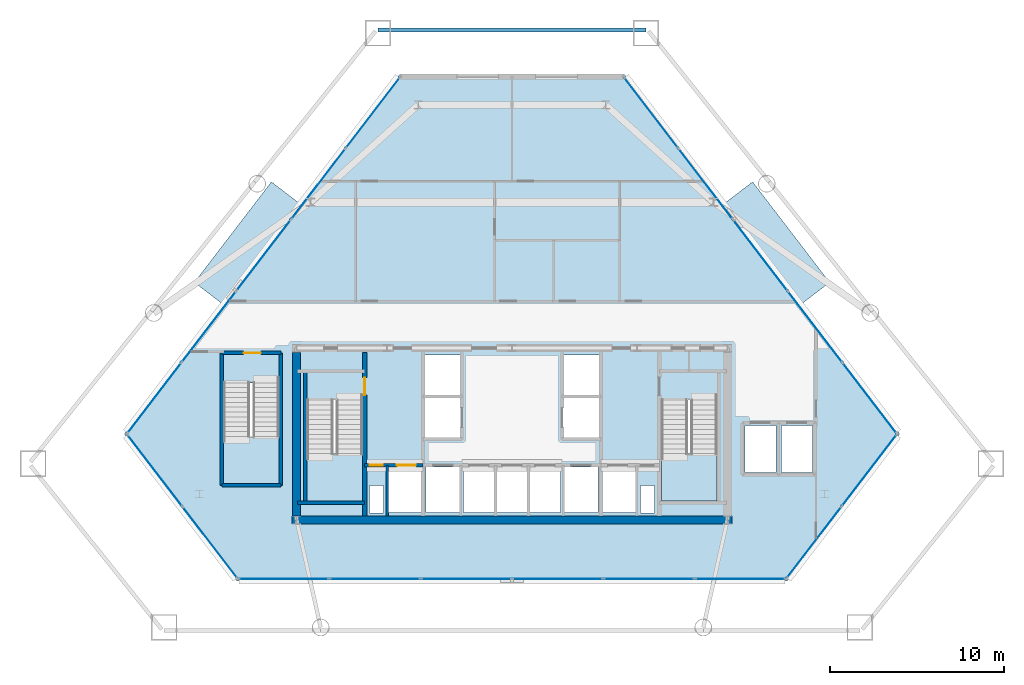
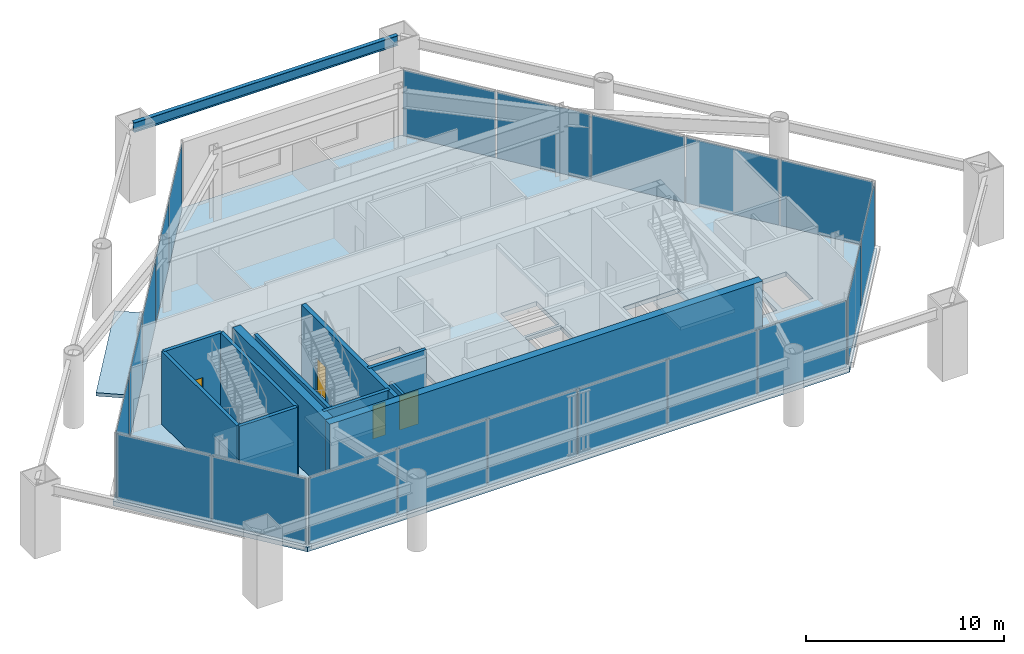
# One storey, part 6 of 11: 20 plates, 11 walls, 6 slabs, 4 doors, 1 beam, 4 openings, 8 elements without a shape of their own.
"""IFC4 building model written with IfcOpenShell, lengths in metres."""

from ifc_helpers import new_model, si_unit, direction, frame, frame_2d, origin, origin_2d, place, context, subcontext, project, spatial, polyline, rectangle, i_section, outline, extrude, source, transform, mapped, material, layer, layer_set, material_profile, profile_set, type_object, type_shapes, element, fill, aggregate, save


model = new_model("IFC4")

# Units and contexts
model_context = context("Model", 3, precision=1e-05, world=origin(), true_north=direction((0.0, 1.0)))
body_context = subcontext(model_context, "Body", "Model", "MODEL_VIEW")
ifc_project = project(units=[si_unit("LENGTHUNIT", "METRE"), si_unit("AREAUNIT", "SQUARE_METRE"), si_unit("VOLUMEUNIT", "CUBIC_METRE"), si_unit("PLANEANGLEUNIT", "RADIAN"), si_unit("MASSUNIT", "GRAM", prefix="KILO")], contexts=[model_context])

# Site, building, storey
site_placement = place(None, origin())
site = spatial("IfcSite", under=ifc_project, at=site_placement, CompositionType="ELEMENT")
building_placement = place(site_placement, origin())
building = spatial("IfcBuilding", under=site, at=building_placement, Name="Talgorran Terracotta Tower", CompositionType="ELEMENT")
storey_placement = place(building_placement, frame((0.0, 0.0, 5.39990234375)))
storey = spatial("IfcBuildingStorey", under=building, at=storey_placement, Name="L01", CompositionType="ELEMENT", Elevation=5.39990234375)

# Beam
ifc_material_1 = material(Name="Steel S355 (300PLUS)", Category="steel")
ifc_material_profile = material_profile(ifc_material_1, i_section(OverallWidth=0.22900390625, OverallDepth=0.611572265625, WebThickness=0.011962890625, FlangeThickness=0.01953125, at=origin_2d()), Name="610UB125")
ifc_profile_set = profile_set([ifc_material_profile], Name="Steel S355 (300PLUS)")
beam_type = type_object("IfcBeamType", Name="BM_SP_610UB125", PredefinedType="SPANDREL", material=ifc_profile_set)
beam_placement = place(storey_placement, frame((7.714111328125, 14.115966796875, 3.914306640625), z_axis=(-1.0, 0.0, 0.0), x_axis=(0.0, -1.0, 0.0)))
element("IfcBeam", 1, at=beam_placement, inside=storey, type_object=beam_type, Name="L01 Perimeter Spandrel Beam MC5-MC6", PredefinedType="SPANDREL", context=body_context, shape_type="SweptSolid", body=[
    extrude(i_section(OverallWidth=0.22900390625, OverallDepth=0.611572265625, WebThickness=0.011962890625, FlangeThickness=0.01953125, at=origin_2d()), origin(), (0.0, 0.0, 1.0), 15.42822265625),
])

# Slabs
ifc_material_2 = material(Name="Concrete C50/60", Category="concrete")
ifc_layer_1 = layer(ifc_material_2, 0.2099609375, Name="SL_CANOPY_210")
ifc_layer_set_1 = layer_set([ifc_layer_1], Name="Concrete C50/60")
slab_type_1 = type_object("IfcSlabType", Name="SL_CANOPY_210", PredefinedType="ROOF", material=ifc_layer_set_1)
slab_1_placement = place(storey_placement, frame((0.0, 0.0, -0.2099609375)))
element("IfcSlab", 2, at=slab_1_placement, inside=storey, type_object=slab_type_1, Name="Entry Portico Canopy Slab NE", PredefinedType="ROOF", context=body_context, shape_type="SweptSolid", body=[
    extrude(outline(polyline([(16.633544921875, -1.68310546875), (18.28466796875, -0.418212890625), (13.849609375, 5.372314453125), (12.1982421875, 4.107421875), (16.633544921875, -1.68310546875)])), origin(), (0.0, 0.0, 1.0), 0.2099609375),
])
slab_2_placement = place(storey_placement, frame((0.0, 0.0, -0.2099609375)))
element("IfcSlab", 3, at=slab_2_placement, inside=storey, type_object=slab_type_1, Name="Entry Portico Canopy Slab NW", PredefinedType="ROOF", context=body_context, shape_type="SweptSolid", body=[
    extrude(outline(polyline([(-12.1982421875, 4.107421875), (-13.849609375, 5.372314453125), (-18.28466796875, -0.418212890625), (-16.633544921875, -1.68310546875), (-12.1982421875, 4.107421875)])), origin(), (0.0, 0.0, 1.0), 0.2099609375),
])

# Stair, slab
ifc_material_3 = material(Name="Concrete C40/50", Category="concrete")
stair_type_1 = type_object("IfcStairType", Name="ST_FIRE_SCISSOR", PredefinedType="HALF_TURN_STAIR", material=ifc_material_3)
stair_1_placement = place(storey_placement, origin())
stair_1 = element("IfcStair", 4, at=stair_1_placement, inside=storey, type_object=stair_type_1, Name="L01 West Protected Fire Stair ST-01", PredefinedType="HALF_TURN_STAIR")
ifc_layer_2 = layer(ifc_material_3, 0.199951171875, Name="SL_LANDING_200")
ifc_layer_set_2 = layer_set([ifc_layer_2], Name="Concrete C40/50")
slab_type_2 = type_object("IfcSlabType", Name="SL_LANDING_200", PredefinedType="LANDING", material=ifc_layer_set_2)
slab_3_placement = place(storey_placement, frame((0.0, 0.0, 2.050048828125)))
slab_3 = element("IfcSlab", 5, at=slab_3_placement, type_object=slab_type_2, Name="ST-01 landing 1", PredefinedType="LANDING", context=body_context, shape_type="SweptSolid", body=[
    extrude(outline(polyline([(-11.800048828125, -10.280029296875), (-11.800048828125, -13.0), (-8.60009765625, -13.0), (-8.60009765625, -10.280029296875), (-11.800048828125, -10.280029296875)])), origin(), (0.0, 0.0, 1.0), 0.199951171875),
])
aggregate(stair_1, [slab_3])

stair_2_placement = place(storey_placement, origin())
stair_2 = element("IfcStair", 6, at=stair_2_placement, inside=storey, type_object=stair_type_1, Name="L01 East Protected Fire Stair ST-02", PredefinedType="HALF_TURN_STAIR")
slab_4_placement = place(storey_placement, frame((0.0, 0.0, 2.050048828125)))
slab_4 = element("IfcSlab", 7, at=slab_4_placement, type_object=slab_type_2, Name="ST-02 landing 1", PredefinedType="LANDING", context=body_context, shape_type="SweptSolid", body=[
    extrude(outline(polyline([(8.60009765625, -10.280029296875), (8.60009765625, -13.0), (11.800048828125, -13.0), (11.800048828125, -10.280029296875), (8.60009765625, -10.280029296875)])), origin(), (0.0, 0.0, 1.0), 0.199951171875),
])
aggregate(stair_2, [slab_4])

stair_type_2 = type_object("IfcStairType", Name="ST_PODIUM_DOGLEG", PredefinedType="HALF_TURN_STAIR", material=ifc_material_3)
stair_3_placement = place(storey_placement, origin())
stair_3 = element("IfcStair", 8, at=stair_3_placement, inside=storey, type_object=stair_type_2, Name="L01 Podium Health Fire Stair ST-03", PredefinedType="HALF_TURN_STAIR")
slab_5_placement = place(storey_placement, frame((0.0, 0.0, 2.050048828125)))
slab_5 = element("IfcSlab", 9, at=slab_5_placement, type_object=slab_type_2, Name="ST-03 landing 1", PredefinedType="LANDING", context=body_context, shape_type="SweptSolid", body=[
    extrude(outline(polyline([(-16.60009765625, -9.280029296875), (-16.60009765625, -12.0), (-13.39990234375, -12.0), (-13.39990234375, -9.280029296875), (-16.60009765625, -9.280029296875)])), origin(), (0.0, 0.0, 1.0), 0.199951171875),
])
aggregate(stair_3, [slab_5])

# Slab
ifc_layer_3 = layer(ifc_material_2, 0.280029296875, Name="SL_PODIUM_280")
ifc_layer_set_3 = layer_set([ifc_layer_3], Name="Concrete C50/60")
slab_type_3 = type_object("IfcSlabType", Name="SL_PODIUM_280", PredefinedType="FLOOR", material=ifc_layer_set_3)
slab_6_placement = place(storey_placement, frame((0.0, 0.0, -0.27978515625)))
element("IfcSlab", 10, at=slab_6_placement, inside=storey, type_object=slab_type_3, Name="Storey L01 Structural Floor Slab", PredefinedType="FLOOR", context=body_context, shape_type="SweptSolid", body=[
    extrude(outline(polyline([(-22.320068359375, -9.139892578125), (-15.840087890625, -17.60009765625), (15.840087890625, -17.60009765625), (22.320068359375, -9.139892578125), (6.47998046875, 11.5400390625), (-6.47998046875, 11.5400390625), (-22.320068359375, -9.139892578125)]), holes=[polyline([(-11.800048828125, -7.199951171875), (-11.800048828125, -13.0), (-8.60009765625, -13.0), (-8.60009765625, -7.199951171875), (-11.800048828125, -7.199951171875)]), polyline([(8.60009765625, -7.199951171875), (8.60009765625, -13.0), (11.800048828125, -13.0), (11.800048828125, -7.199951171875), (8.60009765625, -7.199951171875)]), polyline([(-16.60009765625, -6.199951171875), (-16.60009765625, -12.0), (-13.39990234375, -12.0), (-13.39990234375, -6.199951171875), (-16.60009765625, -6.199951171875)]), polyline([(-7.10009765625, -13.64990234375), (-5.199951171875, -13.64990234375), (-5.199951171875, -11.050048828125), (-7.10009765625, -11.050048828125), (-7.10009765625, -13.64990234375)]), polyline([(5.199951171875, -13.64990234375), (7.10009765625, -13.64990234375), (7.10009765625, -11.050048828125), (5.199951171875, -11.050048828125), (5.199951171875, -13.64990234375)]), polyline([(3.0, -13.64990234375), (4.949951171875, -13.64990234375), (4.949951171875, -11.050048828125), (3.0, -11.050048828125), (3.0, -13.64990234375)]), polyline([(-4.949951171875, -13.64990234375), (-3.0, -13.64990234375), (-3.0, -11.050048828125), (-4.949951171875, -11.050048828125), (-4.949951171875, -13.64990234375)]), polyline([(-5.050048828125, -9.35009765625), (-2.949951171875, -9.35009765625), (-2.949951171875, -7.050048828125), (-5.050048828125, -7.050048828125), (-5.050048828125, -9.35009765625)]), polyline([(-5.050048828125, -6.89990234375), (-2.949951171875, -6.89990234375), (-2.949951171875, -4.60009765625), (-5.050048828125, -4.60009765625), (-5.050048828125, -6.89990234375)]), polyline([(2.949951171875, -9.35009765625), (5.050048828125, -9.35009765625), (5.050048828125, -7.050048828125), (2.949951171875, -7.050048828125), (2.949951171875, -9.35009765625)]), polyline([(2.949951171875, -6.89990234375), (5.050048828125, -6.89990234375), (5.050048828125, -4.60009765625), (2.949951171875, -4.60009765625), (2.949951171875, -6.89990234375)]), polyline([(-2.800048828125, -13.64990234375), (-1.0, -13.64990234375), (-1.0, -11.050048828125), (-2.800048828125, -11.050048828125), (-2.800048828125, -13.64990234375)]), polyline([(-0.89990234375, -13.64990234375), (0.89990234375, -13.64990234375), (0.89990234375, -11.050048828125), (-0.89990234375, -11.050048828125), (-0.89990234375, -13.64990234375)]), polyline([(1.0, -13.64990234375), (2.800048828125, -13.64990234375), (2.800048828125, -11.050048828125), (1.0, -11.050048828125), (1.0, -13.64990234375)]), polyline([(13.39990234375, -11.35009765625), (15.199951171875, -11.35009765625), (15.199951171875, -8.64990234375), (13.39990234375, -8.64990234375), (13.39990234375, -11.35009765625)]), polyline([(15.5, -11.35009765625), (17.300048828125, -11.35009765625), (17.300048828125, -8.64990234375), (15.5, -8.64990234375), (15.5, -11.35009765625)]), polyline([(-8.199951171875, -13.699951171875), (-7.39990234375, -13.699951171875), (-7.39990234375, -12.10009765625), (-8.199951171875, -12.10009765625), (-8.199951171875, -13.699951171875)]), polyline([(7.39990234375, -13.699951171875), (8.199951171875, -13.699951171875), (8.199951171875, -12.10009765625), (7.39990234375, -12.10009765625), (7.39990234375, -13.699951171875)])]), origin(), (0.0, 0.0, 1.0), 0.27978515625),
])

# Curtain wall, plates
ifc_material_4 = material(Name="Terracotta and Low-E Glazing", Category="masonry")
ifc_layer_4 = layer(ifc_material_4, 0.219970703125, Name="CW_SYS1_PODIUM")
ifc_layer_set_4 = layer_set([ifc_layer_4], Name="Terracotta and Low-E Glazing")
curtain_wall_type = type_object("IfcCurtainWallType", Name="CW_SYS1_PODIUM", PredefinedType="NOTDEFINED", material=ifc_layer_set_4)
curtain_wall_1_placement = place(storey_placement, origin())
curtain_wall_1 = element("IfcCurtainWall", 11, at=curtain_wall_1_placement, inside=storey, type_object=curtain_wall_type, Name="CW-L01-F0", PredefinedType="NOTDEFINED")
ifc_material_5 = material(Name="Low-E Laminated Vision Glass", Category="glass")
ifc_layer_5 = layer(ifc_material_5, 0.028076171875, Name="PLT_VISION_28")
ifc_layer_set_5 = layer_set([ifc_layer_5], Name="Low-E Laminated Vision Glass")
plate_type = type_object("IfcPlateType", Name="PLT_VISION_28", PredefinedType="CURTAIN_PANEL", material=ifc_layer_set_5)
shared_shape_1 = source(origin(), body_context, "Body", "SweptSolid", [
    extrude(rectangle(XDim=5.14013671875, YDim=0.028076171875, at=origin_2d()), origin(), (0.0, 0.0, 1.0), 4.070068359375),
])
plate_1_placement = place(storey_placement, frame((-20.560302734375, -11.239990234375, 0.0751953125), z_axis=(0.0, 0.0, 1.0), x_axis=(0.608071772019, -0.793882056778, 0.0)))
plate_1 = element("IfcPlate", 12, at=plate_1_placement, type_object=plate_type, Name="CW-L01-0 panel 1.1", PredefinedType="CURTAIN_PANEL", context=body_context, shape_type="MappedRepresentation", body=[
    mapped(shared_shape_1, transform((0.0, 0.0, 0.0), scale=1.0)),
])
plate_2_placement = place(storey_placement, frame((-17.38916015625, -15.380126953125, 0.0751953125), z_axis=(0.0, 0.0, 1.0), x_axis=(0.608071772019, -0.793882056778, 0.0)))
plate_2 = element("IfcPlate", 13, at=plate_2_placement, type_object=plate_type, Name="CW-L01-0 panel 2.1", PredefinedType="CURTAIN_PANEL", context=body_context, shape_type="MappedRepresentation", body=[
    mapped(shared_shape_1, transform((0.0, 0.0, 0.0), scale=1.0)),
])
aggregate(curtain_wall_1, [plate_1, plate_2])

curtain_wall_2_placement = place(storey_placement, origin())
curtain_wall_2 = element("IfcCurtainWall", 14, at=curtain_wall_2_placement, inside=storey, type_object=curtain_wall_type, Name="CW-L01-F2", PredefinedType="NOTDEFINED")
plate_3_placement = place(storey_placement, frame((17.38916015625, -15.380126953125, 0.0751953125), z_axis=(0.0, 0.0, 1.0), x_axis=(0.608071772019, 0.793882056778, 0.0)))
plate_3 = element("IfcPlate", 15, at=plate_3_placement, type_object=plate_type, Name="CW-L01-2 panel 1.1", PredefinedType="CURTAIN_PANEL", context=body_context, shape_type="MappedRepresentation", body=[
    mapped(shared_shape_1, transform((0.0, 0.0, 0.0), scale=1.0)),
])
plate_4_placement = place(storey_placement, frame((20.560302734375, -11.239990234375, 0.0751953125), z_axis=(0.0, 0.0, 1.0), x_axis=(0.608071772019, 0.793882056778, 0.0)))
plate_4 = element("IfcPlate", 16, at=plate_4_placement, type_object=plate_type, Name="CW-L01-2 panel 2.1", PredefinedType="CURTAIN_PANEL", context=body_context, shape_type="MappedRepresentation", body=[
    mapped(shared_shape_1, transform((0.0, 0.0, 0.0), scale=1.0)),
])
aggregate(curtain_wall_2, [plate_3, plate_4])

curtain_wall_3_placement = place(storey_placement, origin())
curtain_wall_3 = element("IfcCurtainWall", 17, at=curtain_wall_3_placement, inside=storey, type_object=curtain_wall_type, Name="CW-L01-F1", PredefinedType="NOTDEFINED")
shared_shape_2 = source(origin(), body_context, "Body", "SweptSolid", [
    extrude(rectangle(XDim=5.147705078125, YDim=0.028076171875, at=origin_2d()), origin(), (0.0, 0.0, 1.0), 4.070068359375),
])
plate_5_placement = place(storey_placement, frame((-13.1318359375, -17.47998046875, 0.0751953125), z_axis=(0.0, 0.0, 1.0), x_axis=(1.0, 0.0, 0.0)))
plate_5 = element("IfcPlate", 18, at=plate_5_placement, type_object=plate_type, Name="CW-L01-1 panel 1.1", PredefinedType="CURTAIN_PANEL", context=body_context, shape_type="MappedRepresentation", body=[
    mapped(shared_shape_2, transform((0.0, 0.0, 0.0), scale=1.0)),
])
plate_6_placement = place(storey_placement, frame((13.1318359375, -17.47998046875, 0.0751953125), z_axis=(0.0, 0.0, 1.0), x_axis=(1.0, 0.0, 0.0)))
plate_6 = element("IfcPlate", 19, at=plate_6_placement, type_object=plate_type, Name="CW-L01-1 panel 6.1", PredefinedType="CURTAIN_PANEL", context=body_context, shape_type="MappedRepresentation", body=[
    mapped(shared_shape_2, transform((0.0, 0.0, 0.0), scale=1.0)),
])
shared_shape_3 = source(origin(), body_context, "Body", "SweptSolid", [
    extrude(rectangle(XDim=5.185302734375, YDim=0.028076171875, at=origin_2d()), origin(), (0.0, 0.0, 1.0), 4.070068359375),
])
plate_7_placement = place(storey_placement, frame((-7.890380859375, -17.47998046875, 0.0751953125), z_axis=(0.0, 0.0, 1.0), x_axis=(1.0, 0.0, 0.0)))
plate_7 = element("IfcPlate", 20, at=plate_7_placement, type_object=plate_type, Name="CW-L01-1 panel 2.1", PredefinedType="CURTAIN_PANEL", context=body_context, shape_type="MappedRepresentation", body=[
    mapped(shared_shape_3, transform((0.0, 0.0, 0.0), scale=1.0)),
])
plate_8_placement = place(storey_placement, frame((-2.630126953125, -17.47998046875, 0.0751953125), z_axis=(0.0, 0.0, 1.0), x_axis=(1.0, 0.0, 0.0)))
plate_8 = element("IfcPlate", 21, at=plate_8_placement, type_object=plate_type, Name="CW-L01-1 panel 3.1", PredefinedType="CURTAIN_PANEL", context=body_context, shape_type="MappedRepresentation", body=[
    mapped(shared_shape_3, transform((0.0, 0.0, 0.0), scale=1.0)),
])
plate_9_placement = place(storey_placement, frame((2.630126953125, -17.47998046875, 0.0751953125), z_axis=(0.0, 0.0, 1.0), x_axis=(1.0, 0.0, 0.0)))
plate_9 = element("IfcPlate", 22, at=plate_9_placement, type_object=plate_type, Name="CW-L01-1 panel 4.1", PredefinedType="CURTAIN_PANEL", context=body_context, shape_type="MappedRepresentation", body=[
    mapped(shared_shape_3, transform((0.0, 0.0, 0.0), scale=1.0)),
])
plate_10_placement = place(storey_placement, frame((7.890380859375, -17.47998046875, 0.0751953125), z_axis=(0.0, 0.0, 1.0), x_axis=(1.0, 0.0, 0.0)))
plate_10 = element("IfcPlate", 23, at=plate_10_placement, type_object=plate_type, Name="CW-L01-1 panel 5.1", PredefinedType="CURTAIN_PANEL", context=body_context, shape_type="MappedRepresentation", body=[
    mapped(shared_shape_3, transform((0.0, 0.0, 0.0), scale=1.0)),
])
aggregate(curtain_wall_3, [plate_5, plate_7, plate_8, plate_9, plate_10, plate_6])

curtain_wall_4_placement = place(storey_placement, origin())
curtain_wall_4 = element("IfcCurtainWall", 24, at=curtain_wall_4_placement, inside=storey, type_object=curtain_wall_type, Name="CW-L01-F3", PredefinedType="NOTDEFINED")
shared_shape_4 = source(origin(), body_context, "Body", "SweptSolid", [
    extrude(rectangle(XDim=5.067138671875, YDim=0.028076171875, at=origin_2d()), origin(), (0.0, 0.0, 1.0), 4.070068359375),
])
plate_11_placement = place(storey_placement, frame((20.58251953125, -7.069091796875, 0.0751953125), z_axis=(0.0, 0.0, 1.0), x_axis=(-0.608074806682, 0.793879732377, 0.0)))
plate_11 = element("IfcPlate", 25, at=plate_11_placement, type_object=plate_type, Name="CW-L01-3 panel 1.1", PredefinedType="CURTAIN_PANEL", context=body_context, shape_type="MappedRepresentation", body=[
    mapped(shared_shape_4, transform((0.0, 0.0, 0.0), scale=1.0)),
])
plate_12_placement = place(storey_placement, frame((8.007080078125, 9.34912109375, 0.0751953125), z_axis=(0.0, 0.0, 1.0), x_axis=(-0.608074806682, 0.793879732377, 0.0)))
plate_12 = element("IfcPlate", 26, at=plate_12_placement, type_object=plate_type, Name="CW-L01-3 panel 5.1", PredefinedType="CURTAIN_PANEL", context=body_context, shape_type="MappedRepresentation", body=[
    mapped(shared_shape_4, transform((0.0, 0.0, 0.0), scale=1.0)),
])

curtain_wall_5_placement = place(storey_placement, origin())
curtain_wall_5 = element("IfcCurtainWall", 27, at=curtain_wall_5_placement, inside=storey, type_object=curtain_wall_type, Name="CW-L01-F5", PredefinedType="NOTDEFINED")
plate_13_placement = place(storey_placement, frame((-8.007080078125, 9.34912109375, 0.0751953125), z_axis=(0.0, 0.0, 1.0), x_axis=(-0.608074806682, -0.793879732377, 0.0)))
plate_13 = element("IfcPlate", 28, at=plate_13_placement, type_object=plate_type, Name="CW-L01-5 panel 1.1", PredefinedType="CURTAIN_PANEL", context=body_context, shape_type="MappedRepresentation", body=[
    mapped(shared_shape_4, transform((0.0, 0.0, 0.0), scale=1.0)),
])
plate_14_placement = place(storey_placement, frame((-20.58251953125, -7.069091796875, 0.0751953125), z_axis=(0.0, 0.0, 1.0), x_axis=(-0.608074806682, -0.793879732377, 0.0)))
plate_14 = element("IfcPlate", 29, at=plate_14_placement, type_object=plate_type, Name="CW-L01-5 panel 5.1", PredefinedType="CURTAIN_PANEL", context=body_context, shape_type="MappedRepresentation", body=[
    mapped(shared_shape_4, transform((0.0, 0.0, 0.0), scale=1.0)),
])

# Plate
shared_shape_5 = source(origin(), body_context, "Body", "SweptSolid", [
    extrude(rectangle(XDim=5.104736328125, YDim=0.028076171875, at=origin_2d()), origin(), (0.0, 0.0, 1.0), 4.070068359375),
])
type_shapes(plate_type, [shared_shape_1, shared_shape_2, shared_shape_3, shared_shape_4, shared_shape_5])
plate_15_placement = place(storey_placement, frame((17.4443359375, -2.971923828125, 0.0751953125), z_axis=(0.0, 0.0, 1.0), x_axis=(-0.608074806682, 0.793879732377, 0.0)))
plate_15 = element("IfcPlate", 30, at=plate_15_placement, type_object=plate_type, Name="CW-L01-3 panel 2.1", PredefinedType="CURTAIN_PANEL", context=body_context, shape_type="MappedRepresentation", body=[
    mapped(shared_shape_5, transform((0.0, 0.0, 0.0), scale=1.0)),
])

plate_16_placement = place(storey_placement, frame((14.294921875, 1.139892578125, 0.0751953125), z_axis=(0.0, 0.0, 1.0), x_axis=(-0.608074806682, 0.793879732377, 0.0)))
plate_16 = element("IfcPlate", 31, at=plate_16_placement, type_object=plate_type, Name="CW-L01-3 panel 3.1", PredefinedType="CURTAIN_PANEL", context=body_context, shape_type="MappedRepresentation", body=[
    mapped(shared_shape_5, transform((0.0, 0.0, 0.0), scale=1.0)),
])

plate_17_placement = place(storey_placement, frame((11.145263671875, 5.251953125, 0.0751953125), z_axis=(0.0, 0.0, 1.0), x_axis=(-0.608074806682, 0.793879732377, 0.0)))
plate_17 = element("IfcPlate", 32, at=plate_17_placement, type_object=plate_type, Name="CW-L01-3 panel 4.1", PredefinedType="CURTAIN_PANEL", context=body_context, shape_type="MappedRepresentation", body=[
    mapped(shared_shape_5, transform((0.0, 0.0, 0.0), scale=1.0)),
])

aggregate(curtain_wall_4, [plate_11, plate_15, plate_16, plate_17, plate_12])

plate_18_placement = place(storey_placement, frame((-11.145263671875, 5.251953125, 0.0751953125), z_axis=(0.0, 0.0, 1.0), x_axis=(-0.608074806682, -0.793879732377, 0.0)))
plate_18 = element("IfcPlate", 33, at=plate_18_placement, type_object=plate_type, Name="CW-L01-5 panel 2.1", PredefinedType="CURTAIN_PANEL", context=body_context, shape_type="MappedRepresentation", body=[
    mapped(shared_shape_5, transform((0.0, 0.0, 0.0), scale=1.0)),
])

plate_19_placement = place(storey_placement, frame((-14.294921875, 1.139892578125, 0.0751953125), z_axis=(0.0, 0.0, 1.0), x_axis=(-0.608074806682, -0.793879732377, 0.0)))
plate_19 = element("IfcPlate", 34, at=plate_19_placement, type_object=plate_type, Name="CW-L01-5 panel 3.1", PredefinedType="CURTAIN_PANEL", context=body_context, shape_type="MappedRepresentation", body=[
    mapped(shared_shape_5, transform((0.0, 0.0, 0.0), scale=1.0)),
])

plate_20_placement = place(storey_placement, frame((-17.4443359375, -2.971923828125, 0.0751953125), z_axis=(0.0, 0.0, 1.0), x_axis=(-0.608074806682, -0.793879732377, 0.0)))
plate_20 = element("IfcPlate", 35, at=plate_20_placement, type_object=plate_type, Name="CW-L01-5 panel 4.1", PredefinedType="CURTAIN_PANEL", context=body_context, shape_type="MappedRepresentation", body=[
    mapped(shared_shape_5, transform((0.0, 0.0, 0.0), scale=1.0)),
])

aggregate(curtain_wall_5, [plate_13, plate_18, plate_19, plate_20, plate_14])

# Walls
ifc_layer_6 = layer(ifc_material_2, 0.199951171875, Name="WT_CORE_200")
ifc_layer_set_6 = layer_set([ifc_layer_6], Name="Concrete C50/60")
wall_type_1 = type_object("IfcWallType", Name="WT_CORE_200", PredefinedType="SOLIDWALL", material=ifc_layer_set_6)
wall_1_placement = place(storey_placement, frame((-12.35009765625, -13.10009765625, 0.0), z_axis=(0.0, 0.0, 1.0), x_axis=(1.0, 0.0, 0.0)))
element("IfcWall", 36, at=wall_1_placement, inside=storey, type_object=wall_type_1, Name="WL-L01-CW-ST1-S", PredefinedType="SOLIDWALL", context=body_context, shape_type="SweptSolid", body=[
    extrude(rectangle(XDim=3.8701171875, YDim=0.199951171875, at=frame_2d((1.93505859375, 0.0))), origin(), (0.0, 0.0, 1.0), 4.5),
])
wall_2_placement = place(storey_placement, frame((-11.89990234375, -13.10009765625, 0.0), z_axis=(0.0, 0.0, 1.0), x_axis=(0.0, 1.0, 0.0)))
element("IfcWall", 37, at=wall_2_placement, inside=storey, type_object=wall_type_1, Name="WL-L01-CW-ST1-W", PredefinedType="SOLIDWALL", context=body_context, shape_type="SweptSolid", body=[
    extrude(rectangle(XDim=7.580078125, YDim=0.199951171875, at=frame_2d((3.7900390625, 0.0))), origin(), (0.0, 0.0, 1.0), 4.5),
])

# Wall, openings, doors
wall_3_placement = place(storey_placement, frame((-8.47998046875, -10.949951171875, 0.0), z_axis=(0.0, 0.0, 1.0), x_axis=(1.0, 0.0, 0.0)))
wall_3 = element("IfcWall", 38, at=wall_3_placement, inside=storey, type_object=wall_type_1, Name="WL-L01-CW-H-SBW", PredefinedType="SOLIDWALL", context=body_context, shape_type="SweptSolid", body=[
    extrude(rectangle(XDim=3.35986328125, YDim=0.199951171875, at=frame_2d((1.679931640625, 0.0))), origin(), (0.0, 0.0, 1.0), 4.5),
])
opening_1_placement = place(wall_3_placement, frame((0.280029296875, 0.0, 0.0)))
opening_1 = element("IfcOpeningElement", 39, at=opening_1_placement, cuts=wall_3, Name="Opening DR-RSW", PredefinedType="OPENING", context=body_context, shape_type="SweptSolid", body=[
    extrude(rectangle(XDim=0.756, YDim=2.054048828125, at=frame_2d((0.375, 1.027099609375))), frame((0.0, 0.10986328125, 0.0), z_axis=(0.0, -1.0, 0.0), x_axis=(1.0, 0.0, 0.0)), (0.0, 0.0, 1.0), 0.219970703125),
])
opening_2_placement = place(wall_3_placement, frame((1.85009765625, 0.0, 0.0)))
opening_2 = element("IfcOpeningElement", 40, at=opening_2_placement, cuts=wall_3, Name="Opening LD-FFL1", PredefinedType="OPENING", context=body_context, shape_type="SweptSolid", body=[
    extrude(rectangle(XDim=1.10609765625, YDim=2.10409765625, at=frame_2d((0.550048828125, 1.052001953125))), frame((0.0, 0.10986328125, 0.0), z_axis=(0.0, -1.0, 0.0), x_axis=(1.0, 0.0, 0.0)), (0.0, 0.0, 1.0), 0.219970703125),
])
ifc_material_6 = material(Name="Brushed Stainless Steel Grade 304", Category="steel")
door_type_1 = type_object("IfcDoorType", Name="DT_LIFT_LD1100", OperationType="DOUBLE_DOOR_SLIDING", PredefinedType="DOOR", material=ifc_material_6)
door_1_placement = place(opening_2_placement, origin())
door_1 = element("IfcDoor", 41, at=door_1_placement, inside=storey, type_object=door_type_1, Name="L01 Lift Landing Door LD-FFL1", OperationType="DOUBLE_DOOR_SLIDING", OverallHeight=2.10009765625, OverallWidth=1.10009765625, PredefinedType="DOOR", context=body_context, shape_type="SweptSolid", body=[
    extrude(rectangle(XDim=1.10009765625, YDim=2.10009765625, at=frame_2d((0.550048828125, 1.050048828125))), frame((0.0, 0.02490234375, 0.0), z_axis=(0.0, -1.0, 0.0), x_axis=(1.0, 0.0, 0.0)), (0.0, 0.0, 1.0), 0.050048828125),
])
fill(opening_2, door_1)
ifc_material_7 = material(Name="Fire-Rated Pressed Steel", Category="steel")
door_type_2 = type_object("IfcDoorType", Name="DT_RISER_750", OperationType="NOTDEFINED", PredefinedType="DOOR", material=ifc_material_7)
door_2_placement = place(opening_1_placement, origin())
door_2 = element("IfcDoor", 42, at=door_2_placement, inside=storey, type_object=door_type_2, Name="DR-RSW", OperationType="SINGLE_SWING_LEFT", OverallHeight=2.050048828125, OverallWidth=0.75, PredefinedType="DOOR", context=body_context, shape_type="SweptSolid", body=[
    extrude(rectangle(XDim=0.75, YDim=2.050048828125, at=frame_2d((0.375, 1.02490234375))), frame((0.0, 0.02490234375, 0.0), z_axis=(0.0, -1.0, 0.0), x_axis=(1.0, 0.0, 0.0)), (0.0, 0.0, 1.0), 0.050048828125),
])
fill(opening_1, door_2)

# Walls
for number, where, z_axis, x_axis, name in (
    (43, (-16.699951171875, -12.10009765625, 0.0), (0.0, 0.0, 1.0), (0.0, 1.0, 0.0), "WL-L01-PW-ST3-W"),
    (44, (-13.300048828125, -12.10009765625, 0.0), (0.0, 0.0, 1.0), (0.0, 1.0, 0.0), "WL-L01-PW-ST3-E"),
):
    element("IfcWall", number, at=place(storey_placement, frame(where, z_axis=z_axis, x_axis=x_axis)), inside=storey, type_object=wall_type_1, Name=name, PredefinedType="SOLIDWALL", context=body_context, shape_type="SweptSolid", body=[
        extrude(rectangle(XDim=7.6201171875, YDim=0.199951171875, at=frame_2d((3.81005859375, 0.0))), origin(), (0.0, 0.0, 1.0), 4.5),
    ])
wall_4_placement = place(storey_placement, frame((-16.699951171875, -12.10009765625, 0.0), z_axis=(0.0, 0.0, 1.0), x_axis=(1.0, 0.0, 0.0)))
element("IfcWall", 45, at=wall_4_placement, inside=storey, type_object=wall_type_1, Name="WL-L01-PW-ST3-S", PredefinedType="SOLIDWALL", context=body_context, shape_type="SweptSolid", body=[
    extrude(rectangle(XDim=3.39990234375, YDim=0.199951171875, at=frame_2d((1.699951171875, 0.0))), origin(), (0.0, 0.0, 1.0), 4.5),
])

# Wall, opening, door
wall_5_placement = place(storey_placement, frame((-16.699951171875, -4.47998046875, 0.0), z_axis=(0.0, 0.0, 1.0), x_axis=(1.0, 0.0, 0.0)))
wall_5 = element("IfcWall", 46, at=wall_5_placement, inside=storey, type_object=wall_type_1, Name="WL-L01-PW-ST3-N", PredefinedType="SOLIDWALL", context=body_context, shape_type="SweptSolid", body=[
    extrude(rectangle(XDim=3.39990234375, YDim=0.199951171875, at=frame_2d((1.699951171875, 0.0))), origin(), (0.0, 0.0, 1.0), 4.5),
])
opening_3_placement = place(wall_5_placement, frame((1.25, 0.0, 0.0)))
opening_3 = element("IfcOpeningElement", 47, at=opening_3_placement, cuts=wall_5, Name="Opening DR-ST03", PredefinedType="OPENING", context=body_context, shape_type="SweptSolid", body=[
    extrude(rectangle(XDim=1.006, YDim=2.10409765625, at=frame_2d((0.5, 1.052001953125))), frame((0.0, 0.10986328125, 0.0), z_axis=(0.0, -1.0, 0.0), x_axis=(1.0, 0.0, 0.0)), (0.0, 0.0, 1.0), 0.219970703125),
])
door_type_3 = type_object("IfcDoorType", Name="DT_FIRE_1000", OperationType="NOTDEFINED", PredefinedType="DOOR", material=ifc_material_7)
door_3_placement = place(opening_3_placement, origin())
door_3 = element("IfcDoor", 48, at=door_3_placement, inside=storey, type_object=door_type_3, Name="DR-ST03", OperationType="SINGLE_SWING_LEFT", OverallHeight=2.10009765625, OverallWidth=1.0, PredefinedType="DOOR", context=body_context, shape_type="SweptSolid", body=[
    extrude(rectangle(XDim=1.0, YDim=2.10009765625, at=frame_2d((0.5, 1.050048828125))), frame((0.0, 0.02490234375, 0.0), z_axis=(0.0, -1.0, 0.0), x_axis=(1.0, 0.0, 0.0)), (0.0, 0.0, 1.0), 0.050048828125),
])
fill(opening_3, door_3)

ifc_layer_7 = layer(ifc_material_2, 0.25, Name="WT_CORE_250")
ifc_layer_set_7 = layer_set([ifc_layer_7], Name="Concrete C50/60")
wall_type_2 = type_object("IfcWallType", Name="WT_CORE_250", PredefinedType="SHEAR", material=ifc_layer_set_7)
wall_6_placement = place(storey_placement, frame((-8.47998046875, -13.85009765625, 0.0), z_axis=(0.0, 0.0, 1.0), x_axis=(0.0, 1.0, 0.0)))
wall_6 = element("IfcWall", 49, at=wall_6_placement, inside=storey, type_object=wall_type_2, Name="WL-L01-CW-V-W1", PredefinedType="SHEAR", context=body_context, shape_type="SweptSolid", body=[
    extrude(rectangle(XDim=9.400146484375, YDim=0.25, at=frame_2d((4.7001953125, 0.0))), origin(), (0.0, 0.0, 1.0), 4.5),
])
opening_4_placement = place(wall_6_placement, frame((6.949951171875, 0.0, 0.0)))
opening_4 = element("IfcOpeningElement", 50, at=opening_4_placement, cuts=wall_6, Name="Opening DR-ST01", PredefinedType="OPENING", context=body_context, shape_type="SweptSolid", body=[
    extrude(rectangle(XDim=1.006, YDim=2.10409765625, at=frame_2d((0.5, 1.052001953125))), frame((0.0, 0.135009765625, 0.0), z_axis=(0.0, -1.0, 0.0), x_axis=(1.0, 0.0, 0.0)), (0.0, 0.0, 1.0), 0.27001953125),
])
door_4_placement = place(opening_4_placement, origin())
door_4 = element("IfcDoor", 51, at=door_4_placement, inside=storey, type_object=door_type_3, Name="DR-ST01", OperationType="SINGLE_SWING_LEFT", OverallHeight=2.10009765625, OverallWidth=1.0, PredefinedType="DOOR", context=body_context, shape_type="SweptSolid", body=[
    extrude(rectangle(XDim=1.0, YDim=2.10009765625, at=frame_2d((0.5, 1.050048828125))), frame((0.0, 0.02490234375, 0.0), z_axis=(0.0, -1.0, 0.0), x_axis=(1.0, 0.0, 0.0)), (0.0, 0.0, 1.0), 0.050048828125),
])
fill(opening_4, door_4)

# Walls
ifc_material_8 = material(Name="Concrete C65/80", Category="concrete")
ifc_layer_8 = layer(ifc_material_8, 0.449951171875, Name="WT_CORE_EXT")
ifc_layer_set_8 = layer_set([ifc_layer_8], Name="Concrete C65/80")
wall_type_3 = type_object("IfcWallType", Name="WT_CORE_EXT", PredefinedType="SHEAR", material=ifc_layer_set_8)
wall_7_placement = place(storey_placement, frame((-12.64990234375, -14.10009765625, 0.0), z_axis=(0.0, 0.0, 1.0), x_axis=(1.0, 0.0, 0.0)))
element("IfcWall", 52, at=wall_7_placement, inside=storey, type_object=wall_type_3, Name="WL-L01-CW-OUT-S", PredefinedType="SHEAR", context=body_context, shape_type="SweptSolid", body=[
    extrude(rectangle(XDim=25.2998046875, YDim=0.449951171875, at=frame_2d((12.64990234375, 0.0))), origin(), (0.0, 0.0, 1.0), 4.5),
])
wall_8_placement = place(storey_placement, frame((-12.39990234375, -13.85009765625, 0.0), z_axis=(0.0, 0.0, 1.0), x_axis=(0.0, 1.0, 0.0)))
element("IfcWall", 53, at=wall_8_placement, inside=storey, type_object=wall_type_3, Name="WL-L01-CW-OUT-W", PredefinedType="SHEAR", context=body_context, shape_type="SweptSolid", body=[
    extrude(rectangle(XDim=9.400146484375, YDim=0.449951171875, at=frame_2d((4.7001953125, 0.0))), origin(), (0.0, 0.0, 1.0), 4.5),
])
ifc_material_9 = material(Name="Fire-Rated Shaftwall")
ifc_layer_9 = layer(ifc_material_9, 0.159912109375, Name="WT_PART_150")
ifc_layer_set_9 = layer_set([ifc_layer_9], Name="Fire-Rated Shaftwall")
wall_type_4 = type_object("IfcWallType", Name="WT_PART_150", PredefinedType="PARTITIONING", material=ifc_layer_set_9)
wall_9_placement = place(storey_placement, frame((-7.179931640625, -13.85009765625, 0.0), z_axis=(0.0, 0.0, 1.0), x_axis=(0.0, 1.0, 0.0)))
element("IfcWall", 54, at=wall_9_placement, inside=storey, type_object=wall_type_4, Name="WL-L01-CW-RSW", PredefinedType="PARTITIONING", context=body_context, shape_type="SweptSolid", body=[
    extrude(rectangle(XDim=2.900146484375, YDim=0.159912109375, at=frame_2d((1.4501953125, 0.0))), origin(), (0.0, 0.0, 1.0), 3.2451171875),
])

save(model, "model.ifc")
